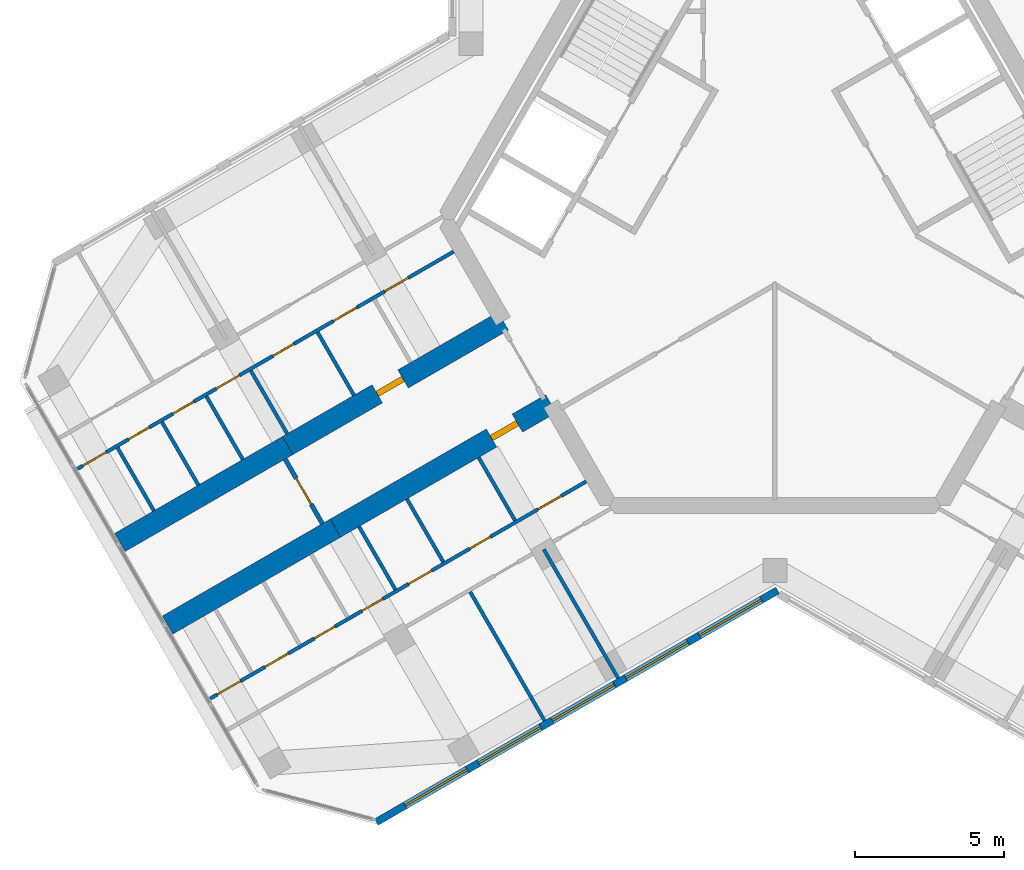
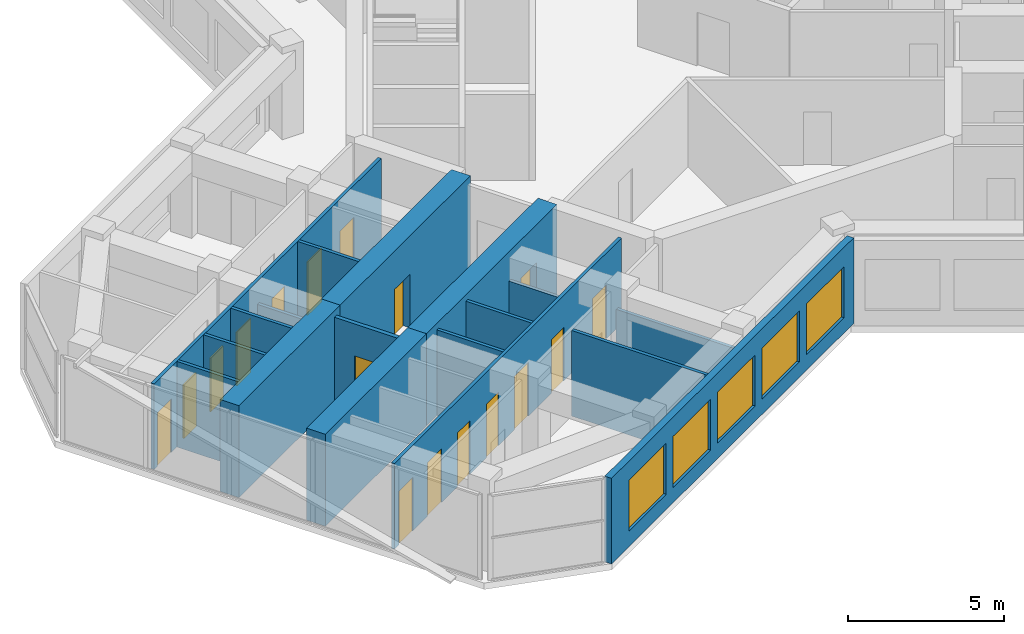
# One storey, part 7 of 14: 18 walls, 17 doors, 5 windows, 22 openings.
"""IFC4 building model written with IfcOpenShell, lengths in metres."""

from ifc_helpers import new_model, si_unit, direction, frame, frame_2d, origin, place, context, subcontext, project, spatial, rectangle, extrude, material, layer, layer_set, type_object, element, fill, save


model = new_model("IFC4")

# Units and contexts
model_context = context("Model", 3, precision=1e-05, world=origin(), true_north=direction((0.0, 1.0)))
body_context = subcontext(model_context, "Body", "Model", "MODEL_VIEW")
ifc_project = project(units=[si_unit("LENGTHUNIT", "METRE"), si_unit("AREAUNIT", "SQUARE_METRE"), si_unit("VOLUMEUNIT", "CUBIC_METRE"), si_unit("PLANEANGLEUNIT", "RADIAN"), si_unit("MASSUNIT", "GRAM", prefix="KILO")], contexts=[model_context])

# Site, building, storey
site_placement = place(None, origin())
site = spatial("IfcSite", under=ifc_project, at=site_placement, CompositionType="ELEMENT")
building_placement = place(site_placement, origin())
building = spatial("IfcBuilding", under=site, at=building_placement, Name="Kosmar Iwan School Tower", CompositionType="ELEMENT")
storey_placement = place(building_placement, frame((0.0, 0.0, 281.800048828125)))
storey = spatial("IfcBuildingStorey", under=building, at=storey_placement, Name="L71", CompositionType="ELEMENT", Elevation=281.800048828125)

# Wall, opening, door
ifc_material_1 = material(Name="Concrete C50/60", Category="concrete")
ifc_layer_1 = layer(ifc_material_1, 0.699951171875)
ifc_layer_set_1 = layer_set([ifc_layer_1], Name="Corridor buttress wall 700")
wall_type_1 = type_object("IfcWallType", Name="Corridor buttress wall 700", PredefinedType="SHEAR", material=ifc_layer_set_1)
wall_1_placement = place(storey_placement, frame((-7.513916015625, -6.185546875, 0.0), z_axis=(0.0, 0.0, 1.0), x_axis=(-0.866019549707, -0.500010139422, 0.0)))
wall_1 = element("IfcWall", 1, at=wall_1_placement, inside=storey, type_object=wall_type_1, Name="Corridor wall BL", PredefinedType="SHEAR", context=body_context, shape_type="SweptSolid", body=[
    extrude(rectangle(XDim=8.349853515625, YDim=0.699951171875, at=frame_2d((4.1748046875, 0.0))), origin(), (0.0, 0.0, 1.0), 3.599853515625),
])
opening_1_placement = place(wall_1_placement, frame((1.300048828125, 0.0, 0.0)))
opening_1 = element("IfcOpeningElement", 2, at=opening_1_placement, cuts=wall_1, Name="Opening D1", PredefinedType="OPENING", context=body_context, shape_type="SweptSolid", body=[
    extrude(rectangle(XDim=1.0, YDim=2.10009765625, at=frame_2d((0.5, 1.050048828125))), frame((0.0, 0.362060546875, 0.0), z_axis=(0.0, -1.0, 0.0), x_axis=(1.0, 0.0, 0.0)), (0.0, 0.0, 1.0), 0.723876953125),
])
ifc_material_2 = material(Name="Timber fire door in steel frame", Category="steel")
door_type_1 = type_object("IfcDoorType", Name="Flat entrance door 1000x2100", OperationType="SINGLE_SWING_LEFT", PredefinedType="DOOR", material=ifc_material_2)
door_1_placement = place(opening_1_placement, origin())
door_1 = element("IfcDoor", 3, at=door_1_placement, inside=storey, type_object=door_type_1, Name="Flat L71-BL1 entrance door", OperationType="SINGLE_SWING_RIGHT", OverallHeight=2.10009765625, OverallWidth=1.0, PredefinedType="DOOR", context=body_context, shape_type="SweptSolid", body=[
    extrude(rectangle(XDim=1.0, YDim=2.10009765625, at=frame_2d((0.5, 1.050048828125))), frame((0.0, 0.10009765625, 0.0), z_axis=(0.0, -1.0, 0.0), x_axis=(1.0, 0.0, 0.0)), (0.0, 0.0, 1.0), 0.199951171875),
])
fill(opening_1, door_1)

# Wall
wall_2_placement = place(storey_placement, frame((-14.7451171875, -10.360595703125, 0.0), z_axis=(0.0, 0.0, 1.0), x_axis=(-0.866027848477, -0.499995765644, 0.0)))
element("IfcWall", 4, at=wall_2_placement, inside=storey, type_object=wall_type_1, Name="Corridor wall BL bay 2", PredefinedType="SHEAR", context=body_context, shape_type="SweptSolid", body=[
    extrude(rectangle(XDim=6.4951171875, YDim=0.699951171875, at=frame_2d((3.24755859375, 0.0))), origin(), (0.0, 0.0, 1.0), 3.599853515625),
])

# Wall, opening, door
wall_3_placement = place(storey_placement, frame((-9.11376953125, -3.414306640625, 0.0), z_axis=(0.0, 0.0, 1.0), x_axis=(-0.866026859388, -0.499997478812, 0.0)))
wall_3 = element("IfcWall", 5, at=wall_3_placement, inside=storey, type_object=wall_type_1, Name="Corridor wall BR", PredefinedType="SHEAR", context=body_context, shape_type="SweptSolid", body=[
    extrude(rectangle(XDim=8.35009765625, YDim=0.699951171875, at=frame_2d((4.175048828125, 0.0))), origin(), (0.0, 0.0, 1.0), 3.599853515625),
])
opening_2_placement = place(wall_3_placement, frame((3.8798828125, 0.0, 0.0)))
opening_2 = element("IfcOpeningElement", 6, at=opening_2_placement, cuts=wall_3, Name="Opening D1", PredefinedType="OPENING", context=body_context, shape_type="SweptSolid", body=[
    extrude(rectangle(XDim=1.0, YDim=2.10009765625, at=frame_2d((0.5, 1.050048828125))), frame((0.0, 0.362060546875, 0.0), z_axis=(0.0, -1.0, 0.0), x_axis=(1.0, 0.0, 0.0)), (0.0, 0.0, 1.0), 0.723876953125),
])
door_2_placement = place(opening_2_placement, origin())
door_2 = element("IfcDoor", 7, at=door_2_placement, inside=storey, type_object=door_type_1, Name="Flat L71-BR1 entrance door", OperationType="SINGLE_SWING_RIGHT", OverallHeight=2.10009765625, OverallWidth=1.0, PredefinedType="DOOR", context=body_context, shape_type="SweptSolid", body=[
    extrude(rectangle(XDim=1.0, YDim=2.10009765625, at=frame_2d((0.5, 1.050048828125))), frame((0.0, 0.10009765625, 0.0), z_axis=(0.0, -1.0, 0.0), x_axis=(1.0, 0.0, 0.0)), (0.0, 0.0, 1.0), 0.199951171875),
])
fill(opening_2, door_2)

# Wall
wall_4_placement = place(storey_placement, frame((-16.34521484375, -7.58935546875, 0.0), z_axis=(0.0, 0.0, 1.0), x_axis=(-0.866018451174, -0.500012042081, 0.0)))
element("IfcWall", 8, at=wall_4_placement, inside=storey, type_object=wall_type_1, Name="Corridor wall BR bay 2", PredefinedType="SHEAR", context=body_context, shape_type="SweptSolid", body=[
    extrude(rectangle(XDim=6.494873046875, YDim=0.699951171875, at=frame_2d((3.24755859375, 0.0))), origin(), (0.0, 0.0, 1.0), 3.599853515625),
])

# Wall, opening, door
ifc_material_3 = material(Name="Gypsum board on steel studs, fire-rated", Category="steel")
ifc_layer_2 = layer(ifc_material_3, 0.14990234375)
ifc_layer_set_2 = layer_set([ifc_layer_2], Name="Corridor end wall 150")
wall_type_2 = type_object("IfcWallType", Name="Corridor end wall 150", PredefinedType="PARTITIONING", material=ifc_layer_set_2)
wall_5_placement = place(storey_placement, frame((-16.429931640625, -8.04248046875, 0.0), z_axis=(0.0, 0.0, 1.0), x_axis=(0.500004234368, -0.866022959057, 0.0)))
wall_5 = element("IfcWall", 9, at=wall_5_placement, inside=storey, type_object=wall_type_2, Name="Partition L71-B-CE", PredefinedType="PARTITIONING", context=body_context, shape_type="SweptSolid", body=[
    extrude(rectangle(XDim=2.5, YDim=0.14990234375, at=frame_2d((1.25, 0.0))), origin(), (0.0, 0.0, 1.0), 3.349853515625),
])
opening_3_placement = place(wall_5_placement, frame((0.75, 0.0, 0.0)))
opening_3 = element("IfcOpeningElement", 10, at=opening_3_placement, cuts=wall_5, Name="Opening D13", PredefinedType="OPENING", context=body_context, shape_type="SweptSolid", body=[
    extrude(rectangle(XDim=1.0, YDim=2.10009765625, at=frame_2d((0.5, 1.050048828125))), frame((0.0, 0.0869140625, 0.0), z_axis=(0.0, -1.0, 0.0), x_axis=(1.0, 0.0, 0.0)), (0.0, 0.0, 1.0), 0.173828125),
])
ifc_material_4 = material(Name="Timber fire door with vision panel", Category="wood")
door_type_2 = type_object("IfcDoorType", Name="Corridor end door 1000x2100", OperationType="SINGLE_SWING_LEFT", PredefinedType="DOOR", material=ifc_material_4)
door_3_placement = place(opening_3_placement, origin())
door_3 = element("IfcDoor", 11, at=door_3_placement, inside=storey, type_object=door_type_2, Name="Prayer room door L71-B", OperationType="SINGLE_SWING_LEFT", OverallHeight=2.10009765625, OverallWidth=1.0, PredefinedType="DOOR", context=body_context, shape_type="SweptSolid", body=[
    extrude(rectangle(XDim=1.0, YDim=2.10009765625, at=frame_2d((0.5, 1.050048828125))), frame((0.0, 0.02490234375, 0.0), z_axis=(0.0, -1.0, 0.0), x_axis=(1.0, 0.0, 0.0)), (0.0, 0.0, 1.0), 0.050048828125),
])
fill(opening_3, door_3)

# Wall, openings, doors
ifc_material_5 = material(Name="Gypsum board on steel studs", Category="steel")
ifc_layer_3 = layer(ifc_material_5, 0.1201171875)
ifc_layer_set_3 = layer_set([ifc_layer_3], Name="Dwelling partition 120")
wall_type_3 = type_object("IfcWallType", Name="Dwelling partition 120", PredefinedType="PARTITIONING", material=ifc_layer_set_3)
wall_6_placement = place(storey_placement, frame((-6.326904296875, -8.791259765625, 0.0), z_axis=(0.0, 0.0, 1.0), x_axis=(-0.866023744513, -0.500002873931, 0.0)))
wall_6 = element("IfcWall", 12, at=wall_6_placement, inside=storey, type_object=wall_type_3, Name="Partition L71-BL1-W1", PredefinedType="PARTITIONING", context=body_context, shape_type="SweptSolid", body=[
    extrude(rectangle(XDim=14.5703125, YDim=0.1201171875, at=frame_2d((7.28515625, 0.0))), origin(), (0.0, 0.0, 1.0), 3.349853515625),
])
opening_4_placement = place(wall_6_placement, frame((0.97509765625, 0.0, 0.0)))
opening_4 = element("IfcOpeningElement", 13, at=opening_4_placement, cuts=wall_6, Name="Opening D2", PredefinedType="OPENING", context=body_context, shape_type="SweptSolid", body=[
    extrude(rectangle(XDim=0.89990234375, YDim=2.10009765625, at=frame_2d((0.449951171875, 1.050048828125))), frame((0.0, 0.072021484375, 0.0), z_axis=(0.0, -1.0, 0.0), x_axis=(1.0, 0.0, 0.0)), (0.0, 0.0, 1.0), 0.14404296875),
])
opening_5_placement = place(wall_6_placement, frame((3.71533203125, 0.0, 0.0)))
opening_5 = element("IfcOpeningElement", 14, at=opening_5_placement, cuts=wall_6, Name="Opening D3", PredefinedType="OPENING", context=body_context, shape_type="SweptSolid", body=[
    extrude(rectangle(XDim=0.800048828125, YDim=2.10009765625, at=frame_2d((0.39990234375, 1.050048828125))), frame((0.0, 0.072021484375, 0.0), z_axis=(0.0, -1.0, 0.0), x_axis=(1.0, 0.0, 0.0)), (0.0, 0.0, 1.0), 0.14404296875),
])
opening_6_placement = place(wall_6_placement, frame((5.982666015625, 0.0, 0.0)))
opening_6 = element("IfcOpeningElement", 15, at=opening_6_placement, cuts=wall_6, Name="Opening D2", PredefinedType="OPENING", context=body_context, shape_type="SweptSolid", body=[
    extrude(rectangle(XDim=0.89990234375, YDim=2.10009765625, at=frame_2d((0.449951171875, 1.050048828125))), frame((0.0, 0.072021484375, 0.0), z_axis=(0.0, -1.0, 0.0), x_axis=(1.0, 0.0, 0.0)), (0.0, 0.0, 1.0), 0.14404296875),
])
opening_7_placement = place(wall_6_placement, frame((7.886474609375, 0.0, 0.0)))
opening_7 = element("IfcOpeningElement", 16, at=opening_7_placement, cuts=wall_6, Name="Opening D3", PredefinedType="OPENING", context=body_context, shape_type="SweptSolid", body=[
    extrude(rectangle(XDim=0.800048828125, YDim=2.10009765625, at=frame_2d((0.39990234375, 1.050048828125))), frame((0.0, 0.072021484375, 0.0), z_axis=(0.0, -1.0, 0.0), x_axis=(1.0, 0.0, 0.0)), (0.0, 0.0, 1.0), 0.14404296875),
])
opening_8_placement = place(wall_6_placement, frame((9.740478515625, 0.0, 0.0)))
opening_8 = element("IfcOpeningElement", 17, at=opening_8_placement, cuts=wall_6, Name="Opening D3", PredefinedType="OPENING", context=body_context, shape_type="SweptSolid", body=[
    extrude(rectangle(XDim=0.800048828125, YDim=2.10009765625, at=frame_2d((0.39990234375, 1.050048828125))), frame((0.0, 0.072021484375, 0.0), z_axis=(0.0, -1.0, 0.0), x_axis=(1.0, 0.0, 0.0)), (0.0, 0.0, 1.0), 0.14404296875),
])
opening_9_placement = place(wall_6_placement, frame((11.544189453125, 0.0, 0.0)))
opening_9 = element("IfcOpeningElement", 18, at=opening_9_placement, cuts=wall_6, Name="Opening D2", PredefinedType="OPENING", context=body_context, shape_type="SweptSolid", body=[
    extrude(rectangle(XDim=0.89990234375, YDim=2.10009765625, at=frame_2d((0.449951171875, 1.050048828125))), frame((0.0, 0.072021484375, 0.0), z_axis=(0.0, -1.0, 0.0), x_axis=(1.0, 0.0, 0.0)), (0.0, 0.0, 1.0), 0.14404296875),
])
opening_10_placement = place(wall_6_placement, frame((13.398193359375, 0.0, 0.0)))
opening_10 = element("IfcOpeningElement", 19, at=opening_10_placement, cuts=wall_6, Name="Opening D2", PredefinedType="OPENING", context=body_context, shape_type="SweptSolid", body=[
    extrude(rectangle(XDim=0.89990234375, YDim=2.10009765625, at=frame_2d((0.449951171875, 1.050048828125))), frame((0.0, 0.072021484375, 0.0), z_axis=(0.0, -1.0, 0.0), x_axis=(1.0, 0.0, 0.0)), (0.0, 0.0, 1.0), 0.14404296875),
])
ifc_material_6 = material(Name="Timber door in timber frame", Category="wood")
door_type_3 = type_object("IfcDoorType", Name="Internal door 900x2100", OperationType="SINGLE_SWING_LEFT", PredefinedType="DOOR", material=ifc_material_6)
door_4_placement = place(opening_4_placement, origin())
door_4 = element("IfcDoor", 20, at=door_4_placement, inside=storey, type_object=door_type_3, Name="Entrance hall door L71-BL1-S1", OperationType="SINGLE_SWING_LEFT", OverallHeight=2.10009765625, OverallWidth=0.89990234375, PredefinedType="DOOR", context=body_context, shape_type="SweptSolid", body=[
    extrude(rectangle(XDim=0.89990234375, YDim=2.10009765625, at=frame_2d((0.449951171875, 1.050048828125))), frame((0.0, 0.02490234375, 0.0), z_axis=(0.0, -1.0, 0.0), x_axis=(1.0, 0.0, 0.0)), (0.0, 0.0, 1.0), 0.050048828125),
])
fill(opening_4, door_4)
door_5_placement = place(opening_6_placement, origin())
door_5 = element("IfcDoor", 21, at=door_5_placement, inside=storey, type_object=door_type_3, Name="Pantry door L71-BL1-S3", OperationType="SINGLE_SWING_LEFT", OverallHeight=2.10009765625, OverallWidth=0.89990234375, PredefinedType="DOOR", context=body_context, shape_type="SweptSolid", body=[
    extrude(rectangle(XDim=0.89990234375, YDim=2.10009765625, at=frame_2d((0.449951171875, 1.050048828125))), frame((0.0, 0.02490234375, 0.0), z_axis=(0.0, -1.0, 0.0), x_axis=(1.0, 0.0, 0.0)), (0.0, 0.0, 1.0), 0.050048828125),
])
fill(opening_6, door_5)
door_6_placement = place(opening_9_placement, origin())
door_6 = element("IfcDoor", 22, at=door_6_placement, inside=storey, type_object=door_type_3, Name="Utility room door L71-BL1-S6", OperationType="SINGLE_SWING_RIGHT", OverallHeight=2.10009765625, OverallWidth=0.89990234375, PredefinedType="DOOR", context=body_context, shape_type="SweptSolid", body=[
    extrude(rectangle(XDim=0.89990234375, YDim=2.10009765625, at=frame_2d((0.449951171875, 1.050048828125))), frame((0.0, 0.02490234375, 0.0), z_axis=(0.0, -1.0, 0.0), x_axis=(1.0, 0.0, 0.0)), (0.0, 0.0, 1.0), 0.050048828125),
])
fill(opening_9, door_6)
door_7_placement = place(opening_10_placement, origin())
door_7 = element("IfcDoor", 23, at=door_7_placement, inside=storey, type_object=door_type_3, Name="Dressing room door L71-BL1-S7", OperationType="SINGLE_SWING_RIGHT", OverallHeight=2.10009765625, OverallWidth=0.89990234375, PredefinedType="DOOR", context=body_context, shape_type="SweptSolid", body=[
    extrude(rectangle(XDim=0.89990234375, YDim=2.10009765625, at=frame_2d((0.449951171875, 1.050048828125))), frame((0.0, 0.02490234375, 0.0), z_axis=(0.0, -1.0, 0.0), x_axis=(1.0, 0.0, 0.0)), (0.0, 0.0, 1.0), 0.050048828125),
])
fill(opening_10, door_7)
ifc_material_7 = material(Name="Timber door in timber frame", Category="wood")
door_type_4 = type_object("IfcDoorType", Name="Sanitary room door 800x2100", OperationType="SINGLE_SWING_LEFT", PredefinedType="DOOR", material=ifc_material_7)
door_8_placement = place(opening_5_placement, origin())
door_8 = element("IfcDoor", 24, at=door_8_placement, inside=storey, type_object=door_type_4, Name="Bathroom door L71-BL1-S2", OperationType="SINGLE_SWING_LEFT", OverallHeight=2.10009765625, OverallWidth=0.800048828125, PredefinedType="DOOR", context=body_context, shape_type="SweptSolid", body=[
    extrude(rectangle(XDim=0.800048828125, YDim=2.10009765625, at=frame_2d((0.39990234375, 1.050048828125))), frame((0.0, 0.02490234375, 0.0), z_axis=(0.0, -1.0, 0.0), x_axis=(1.0, 0.0, 0.0)), (0.0, 0.0, 1.0), 0.050048828125),
])
fill(opening_5, door_8)
door_9_placement = place(opening_7_placement, origin())
door_9 = element("IfcDoor", 25, at=door_9_placement, inside=storey, type_object=door_type_4, Name="WC door L71-BL1-S4", OperationType="SINGLE_SWING_RIGHT", OverallHeight=2.10009765625, OverallWidth=0.800048828125, PredefinedType="DOOR", context=body_context, shape_type="SweptSolid", body=[
    extrude(rectangle(XDim=0.800048828125, YDim=2.10009765625, at=frame_2d((0.39990234375, 1.050048828125))), frame((0.0, 0.02490234375, 0.0), z_axis=(0.0, -1.0, 0.0), x_axis=(1.0, 0.0, 0.0)), (0.0, 0.0, 1.0), 0.050048828125),
])
fill(opening_7, door_9)
door_10_placement = place(opening_8_placement, origin())
door_10 = element("IfcDoor", 26, at=door_10_placement, inside=storey, type_object=door_type_4, Name="Store door L71-BL1-S5", OperationType="SINGLE_SWING_RIGHT", OverallHeight=2.10009765625, OverallWidth=0.800048828125, PredefinedType="DOOR", context=body_context, shape_type="SweptSolid", body=[
    extrude(rectangle(XDim=0.800048828125, YDim=2.10009765625, at=frame_2d((0.39990234375, 1.050048828125))), frame((0.0, 0.02490234375, 0.0), z_axis=(0.0, -1.0, 0.0), x_axis=(1.0, 0.0, 0.0)), (0.0, 0.0, 1.0), 0.050048828125),
])
fill(opening_8, door_10)

# Walls
wall_7_placement = place(storey_placement, frame((-7.75390625, -11.070068359375, 0.0), z_axis=(0.0, 0.0, 1.0), x_axis=(0.500011847778, -0.866018563358, 0.0)))
element("IfcWall", 27, at=wall_7_placement, inside=storey, type_object=wall_type_3, Name="Partition L71-BL1-X1", PredefinedType="PARTITIONING", context=body_context, shape_type="SweptSolid", body=[
    extrude(rectangle(XDim=4.990234375, YDim=0.1201171875, at=frame_2d((2.4951171875, 0.0))), origin(), (0.0, 0.0, 1.0), 2.449951171875),
])
wall_8_placement = place(storey_placement, frame((-10.221923828125, -12.4951171875, 0.0), z_axis=(0.0, 0.0, 1.0), x_axis=(0.499996339024, -0.86602751744, 0.0)))
element("IfcWall", 28, at=wall_8_placement, inside=storey, type_object=wall_type_3, Name="Partition L71-BL1-X2", PredefinedType="PARTITIONING", context=body_context, shape_type="SweptSolid", body=[
    extrude(rectangle(XDim=4.98974609375, YDim=0.1201171875, at=frame_2d((2.494873046875, 0.0))), origin(), (0.0, 0.0, 1.0), 3.349853515625),
])
wall_9_placement = place(storey_placement, frame((-9.93701171875, -7.98876953125, 0.0), z_axis=(0.0, 0.0, 1.0), x_axis=(0.500077547548, -0.865980627057, 0.0)))
element("IfcWall", 29, at=wall_9_placement, inside=storey, type_object=wall_type_3, Name="Partition L71-BL1-Y1", PredefinedType="PARTITIONING", context=body_context, shape_type="SweptSolid", body=[
    extrude(rectangle(XDim=2.43994140625, YDim=0.1201171875, at=frame_2d((1.219970703125, 0.0))), origin(), (0.0, 0.0, 1.0), 2.449951171875),
])
for number, where, z_axis, x_axis, name in (
    (30, (-12.34521484375, -9.379150390625, 0.0), (0.0, 0.0, 1.0), (0.500002508028, -0.866023955769, 0.0), "Partition L71-BL1-Y2"),
    (31, (-13.95068359375, -10.30615234375, 0.0), (0.0, 0.0, 1.0), (0.500002508028, -0.866023955769, 0.0), "Partition L71-BL1-Y3"),
):
    element("IfcWall", number, at=place(storey_placement, frame(where, z_axis=z_axis, x_axis=x_axis)), inside=storey, type_object=wall_type_3, Name=name, PredefinedType="PARTITIONING", context=body_context, shape_type="SweptSolid", body=[
        extrude(rectangle(XDim=2.43994140625, YDim=0.1201171875, at=frame_2d((1.219970703125, 0.0))), origin(), (0.0, 0.0, 1.0), 3.349853515625),
    ])

# Wall, openings, doors
wall_10_placement = place(storey_placement, frame((-10.777099609375, -1.083740234375, 0.0), z_axis=(0.0, 0.0, 1.0), x_axis=(-0.866026811131, -0.499997562396, 0.0)))
wall_10 = element("IfcWall", 32, at=wall_10_placement, inside=storey, type_object=wall_type_3, Name="Partition L71-BR1-W1", PredefinedType="PARTITIONING", context=body_context, shape_type="SweptSolid", body=[
    extrude(rectangle(XDim=14.56982421875, YDim=0.1201171875, at=frame_2d((7.284912109375, 0.0))), origin(), (0.0, 0.0, 1.0), 3.349853515625),
])
opening_11_placement = place(wall_10_placement, frame((1.764892578125, 0.0, 0.0)))
opening_11 = element("IfcOpeningElement", 33, at=opening_11_placement, cuts=wall_10, Name="Opening D2", PredefinedType="OPENING", context=body_context, shape_type="SweptSolid", body=[
    extrude(rectangle(XDim=0.89990234375, YDim=2.10009765625, at=frame_2d((0.449951171875, 1.050048828125))), frame((0.0, 0.072021484375, 0.0), z_axis=(0.0, -1.0, 0.0), x_axis=(1.0, 0.0, 0.0)), (0.0, 0.0, 1.0), 0.14404296875),
])
opening_12_placement = place(wall_10_placement, frame((3.755126953125, 0.0, 0.0)))
opening_12 = element("IfcOpeningElement", 34, at=opening_12_placement, cuts=wall_10, Name="Opening D2", PredefinedType="OPENING", context=body_context, shape_type="SweptSolid", body=[
    extrude(rectangle(XDim=0.89990234375, YDim=2.10009765625, at=frame_2d((0.449951171875, 1.050048828125))), frame((0.0, 0.072021484375, 0.0), z_axis=(0.0, -1.0, 0.0), x_axis=(1.0, 0.0, 0.0)), (0.0, 0.0, 1.0), 0.14404296875),
])
opening_13_placement = place(wall_10_placement, frame((6.1962890625, 0.0, 0.0)))
opening_13 = element("IfcOpeningElement", 35, at=opening_13_placement, cuts=wall_10, Name="Opening D3", PredefinedType="OPENING", context=body_context, shape_type="SweptSolid", body=[
    extrude(rectangle(XDim=0.800048828125, YDim=2.10009765625, at=frame_2d((0.39990234375, 1.050048828125))), frame((0.0, 0.072021484375, 0.0), z_axis=(0.0, -1.0, 0.0), x_axis=(1.0, 0.0, 0.0)), (0.0, 0.0, 1.0), 0.14404296875),
])
opening_14_placement = place(wall_10_placement, frame((8.298583984375, 0.0, 0.0)))
opening_14 = element("IfcOpeningElement", 36, at=opening_14_placement, cuts=wall_10, Name="Opening D2", PredefinedType="OPENING", context=body_context, shape_type="SweptSolid", body=[
    extrude(rectangle(XDim=0.89990234375, YDim=2.10009765625, at=frame_2d((0.449951171875, 1.050048828125))), frame((0.0, 0.072021484375, 0.0), z_axis=(0.0, -1.0, 0.0), x_axis=(1.0, 0.0, 0.0)), (0.0, 0.0, 1.0), 0.14404296875),
])
opening_15_placement = place(wall_10_placement, frame((10.070556640625, 0.0, 0.0)))
opening_15 = element("IfcOpeningElement", 37, at=opening_15_placement, cuts=wall_10, Name="Opening D3", PredefinedType="OPENING", context=body_context, shape_type="SweptSolid", body=[
    extrude(rectangle(XDim=0.800048828125, YDim=2.10009765625, at=frame_2d((0.39990234375, 1.050048828125))), frame((0.0, 0.072021484375, 0.0), z_axis=(0.0, -1.0, 0.0), x_axis=(1.0, 0.0, 0.0)), (0.0, 0.0, 1.0), 0.14404296875),
])
opening_16_placement = place(wall_10_placement, frame((11.792236328125, 0.0, 0.0)))
opening_16 = element("IfcOpeningElement", 38, at=opening_16_placement, cuts=wall_10, Name="Opening D3", PredefinedType="OPENING", context=body_context, shape_type="SweptSolid", body=[
    extrude(rectangle(XDim=0.800048828125, YDim=2.10009765625, at=frame_2d((0.39990234375, 1.050048828125))), frame((0.0, 0.072021484375, 0.0), z_axis=(0.0, -1.0, 0.0), x_axis=(1.0, 0.0, 0.0)), (0.0, 0.0, 1.0), 0.14404296875),
])
opening_17_placement = place(wall_10_placement, frame((13.464111328125, 0.0, 0.0)))
opening_17 = element("IfcOpeningElement", 39, at=opening_17_placement, cuts=wall_10, Name="Opening D2", PredefinedType="OPENING", context=body_context, shape_type="SweptSolid", body=[
    extrude(rectangle(XDim=0.89990234375, YDim=2.10009765625, at=frame_2d((0.449951171875, 1.050048828125))), frame((0.0, 0.072021484375, 0.0), z_axis=(0.0, -1.0, 0.0), x_axis=(1.0, 0.0, 0.0)), (0.0, 0.0, 1.0), 0.14404296875),
])
door_11_placement = place(opening_11_placement, origin())
door_11 = element("IfcDoor", 40, at=door_11_placement, inside=storey, type_object=door_type_3, Name="Utility room door L71-BR1-S1", OperationType="SINGLE_SWING_RIGHT", OverallHeight=2.10009765625, OverallWidth=0.89990234375, PredefinedType="DOOR", context=body_context, shape_type="SweptSolid", body=[
    extrude(rectangle(XDim=0.89990234375, YDim=2.10009765625, at=frame_2d((0.449951171875, 1.050048828125))), frame((0.0, 0.02490234375, 0.0), z_axis=(0.0, -1.0, 0.0), x_axis=(1.0, 0.0, 0.0)), (0.0, 0.0, 1.0), 0.050048828125),
])
fill(opening_11, door_11)
door_12_placement = place(opening_12_placement, origin())
door_12 = element("IfcDoor", 41, at=door_12_placement, inside=storey, type_object=door_type_3, Name="Entrance hall door L71-BR1-S2", OperationType="SINGLE_SWING_RIGHT", OverallHeight=2.10009765625, OverallWidth=0.89990234375, PredefinedType="DOOR", context=body_context, shape_type="SweptSolid", body=[
    extrude(rectangle(XDim=0.89990234375, YDim=2.10009765625, at=frame_2d((0.449951171875, 1.050048828125))), frame((0.0, 0.02490234375, 0.0), z_axis=(0.0, -1.0, 0.0), x_axis=(1.0, 0.0, 0.0)), (0.0, 0.0, 1.0), 0.050048828125),
])
fill(opening_12, door_12)
door_13_placement = place(opening_14_placement, origin())
door_13 = element("IfcDoor", 42, at=door_13_placement, inside=storey, type_object=door_type_3, Name="Pantry door L71-BR1-S4", OperationType="SINGLE_SWING_RIGHT", OverallHeight=2.10009765625, OverallWidth=0.89990234375, PredefinedType="DOOR", context=body_context, shape_type="SweptSolid", body=[
    extrude(rectangle(XDim=0.89990234375, YDim=2.10009765625, at=frame_2d((0.449951171875, 1.050048828125))), frame((0.0, 0.02490234375, 0.0), z_axis=(0.0, -1.0, 0.0), x_axis=(1.0, 0.0, 0.0)), (0.0, 0.0, 1.0), 0.050048828125),
])
fill(opening_14, door_13)
door_14_placement = place(opening_17_placement, origin())
door_14 = element("IfcDoor", 43, at=door_14_placement, inside=storey, type_object=door_type_3, Name="Dressing room door L71-BR1-S7", OperationType="SINGLE_SWING_RIGHT", OverallHeight=2.10009765625, OverallWidth=0.89990234375, PredefinedType="DOOR", context=body_context, shape_type="SweptSolid", body=[
    extrude(rectangle(XDim=0.89990234375, YDim=2.10009765625, at=frame_2d((0.449951171875, 1.050048828125))), frame((0.0, 0.02490234375, 0.0), z_axis=(0.0, -1.0, 0.0), x_axis=(1.0, 0.0, 0.0)), (0.0, 0.0, 1.0), 0.050048828125),
])
fill(opening_17, door_14)
door_15_placement = place(opening_13_placement, origin())
door_15 = element("IfcDoor", 44, at=door_15_placement, inside=storey, type_object=door_type_4, Name="Bathroom door L71-BR1-S3", OperationType="SINGLE_SWING_LEFT", OverallHeight=2.10009765625, OverallWidth=0.800048828125, PredefinedType="DOOR", context=body_context, shape_type="SweptSolid", body=[
    extrude(rectangle(XDim=0.800048828125, YDim=2.10009765625, at=frame_2d((0.39990234375, 1.050048828125))), frame((0.0, 0.02490234375, 0.0), z_axis=(0.0, -1.0, 0.0), x_axis=(1.0, 0.0, 0.0)), (0.0, 0.0, 1.0), 0.050048828125),
])
fill(opening_13, door_15)
door_16_placement = place(opening_15_placement, origin())
door_16 = element("IfcDoor", 45, at=door_16_placement, inside=storey, type_object=door_type_4, Name="WC door L71-BR1-S5", OperationType="SINGLE_SWING_LEFT", OverallHeight=2.10009765625, OverallWidth=0.800048828125, PredefinedType="DOOR", context=body_context, shape_type="SweptSolid", body=[
    extrude(rectangle(XDim=0.800048828125, YDim=2.10009765625, at=frame_2d((0.39990234375, 1.050048828125))), frame((0.0, 0.02490234375, 0.0), z_axis=(0.0, -1.0, 0.0), x_axis=(1.0, 0.0, 0.0)), (0.0, 0.0, 1.0), 0.050048828125),
])
fill(opening_15, door_16)
door_17_placement = place(opening_16_placement, origin())
door_17 = element("IfcDoor", 46, at=door_17_placement, inside=storey, type_object=door_type_4, Name="Store door L71-BR1-S6", OperationType="SINGLE_SWING_RIGHT", OverallHeight=2.10009765625, OverallWidth=0.800048828125, PredefinedType="DOOR", context=body_context, shape_type="SweptSolid", body=[
    extrude(rectangle(XDim=0.800048828125, YDim=2.10009765625, at=frame_2d((0.39990234375, 1.050048828125))), frame((0.0, 0.02490234375, 0.0), z_axis=(0.0, -1.0, 0.0), x_axis=(1.0, 0.0, 0.0)), (0.0, 0.0, 1.0), 0.050048828125),
])
fill(opening_16, door_17)

# Walls
wall_11_placement = place(storey_placement, frame((-14.121337890625, -5.9013671875, 0.0), z_axis=(0.0, 0.0, 1.0), x_axis=(-0.499959183527, 0.866048967903, 0.0)))
element("IfcWall", 47, at=wall_11_placement, inside=storey, type_object=wall_type_3, Name="Partition L71-BR1-Y2", PredefinedType="PARTITIONING", context=body_context, shape_type="SweptSolid", body=[
    extrude(rectangle(XDim=2.440185546875, YDim=0.1201171875, at=frame_2d((1.22021484375, 0.0))), origin(), (0.0, 0.0, 1.0), 3.349853515625),
])
wall_12_placement = place(storey_placement, frame((-16.35791015625, -7.192626953125, 0.0), z_axis=(0.0, 0.0, 1.0), x_axis=(-0.500002508028, 0.866023955769, 0.0)))
element("IfcWall", 48, at=wall_12_placement, inside=storey, type_object=wall_type_3, Name="Partition L71-BR1-Y3", PredefinedType="PARTITIONING", context=body_context, shape_type="SweptSolid", body=[
    extrude(rectangle(XDim=2.43994140625, YDim=0.1201171875, at=frame_2d((1.219970703125, 0.0))), origin(), (0.0, 0.0, 1.0), 2.449951171875),
])
wall_13_placement = place(storey_placement, frame((-17.84912109375, -8.053466796875, 0.0), z_axis=(0.0, 0.0, 1.0), x_axis=(-0.500002508028, 0.866023955769, 0.0)))
element("IfcWall", 49, at=wall_13_placement, inside=storey, type_object=wall_type_3, Name="Partition L71-BR1-Y4", PredefinedType="PARTITIONING", context=body_context, shape_type="SweptSolid", body=[
    extrude(rectangle(XDim=2.43994140625, YDim=0.1201171875, at=frame_2d((1.219970703125, 0.0))), origin(), (0.0, 0.0, 1.0), 3.349853515625),
])
for number, where, z_axis, x_axis, name in (
    (50, (-19.34033203125, -8.91455078125, 0.0), (0.0, 0.0, 1.0), (-0.499959183527, 0.866048967903, 0.0), "Partition L71-BR1-Y5"),
    (51, (-20.831298828125, -9.775390625, 0.0), (0.0, 0.0, 1.0), (-0.500034220881, 0.866005645448, 0.0), "Partition L71-BR1-Y6"),
):
    element("IfcWall", number, at=place(storey_placement, frame(where, z_axis=z_axis, x_axis=x_axis)), inside=storey, type_object=wall_type_3, Name=name, PredefinedType="PARTITIONING", context=body_context, shape_type="SweptSolid", body=[
        extrude(rectangle(XDim=2.440185546875, YDim=0.1201171875, at=frame_2d((1.22021484375, 0.0))), origin(), (0.0, 0.0, 1.0), 3.349853515625),
    ])

# Wall, openings, windows
ifc_material_8 = material(Name="Black aluminium rainscreen on insulated framing", Category="aluminium")
ifc_layer_4 = layer(ifc_material_8, 0.25)
ifc_layer_set_4 = layer_set([ifc_layer_4], Name="External wall rainscreen 250")
wall_type_4 = type_object("IfcWallType", Name="External wall rainscreen 250", PredefinedType="SOLIDWALL", material=ifc_layer_set_4)
wall_14_placement = place(storey_placement, frame((0.088134765625, -12.44873046875, 0.0), z_axis=(0.0, 0.0, 1.0), x_axis=(-0.866029894971, -0.499992220956, 0.0)))
wall_14 = element("IfcWall", 52, at=wall_14_placement, inside=storey, type_object=wall_type_4, Name="External wall BL L71", PredefinedType="SOLIDWALL", context=body_context, shape_type="SweptSolid", body=[
    extrude(rectangle(XDim=15.537353515625, YDim=0.25, at=frame_2d((7.7685546875, 0.0))), origin(), (0.0, 0.0, 1.0), 3.349853515625),
])
opening_18_placement = place(wall_14_placement, frame((0.626953125, 0.0, 0.60009765625)))
opening_18 = element("IfcOpeningElement", 53, at=opening_18_placement, cuts=wall_14, Name="Opening W6", PredefinedType="OPENING", context=body_context, shape_type="SweptSolid", body=[
    extrude(rectangle(XDim=2.39990234375, YDim=2.0, at=frame_2d((1.199951171875, 1.0))), frame((0.0, 0.136962890625, 0.0), z_axis=(0.0, -1.0, 0.0), x_axis=(1.0, 0.0, 0.0)), (0.0, 0.0, 1.0), 0.27392578125),
])
opening_19_placement = place(wall_14_placement, frame((3.47705078125, 0.0, 0.60009765625)))
opening_19 = element("IfcOpeningElement", 54, at=opening_19_placement, cuts=wall_14, Name="Opening W6", PredefinedType="OPENING", context=body_context, shape_type="SweptSolid", body=[
    extrude(rectangle(XDim=2.39990234375, YDim=2.0, at=frame_2d((1.199951171875, 1.0))), frame((0.0, 0.136962890625, 0.0), z_axis=(0.0, -1.0, 0.0), x_axis=(1.0, 0.0, 0.0)), (0.0, 0.0, 1.0), 0.27392578125),
])
opening_20_placement = place(wall_14_placement, frame((6.326904296875, 0.0, 0.60009765625)))
opening_20 = element("IfcOpeningElement", 55, at=opening_20_placement, cuts=wall_14, Name="Opening W6", PredefinedType="OPENING", context=body_context, shape_type="SweptSolid", body=[
    extrude(rectangle(XDim=2.39990234375, YDim=2.0, at=frame_2d((1.199951171875, 1.0))), frame((0.0, 0.136962890625, 0.0), z_axis=(0.0, -1.0, 0.0), x_axis=(1.0, 0.0, 0.0)), (0.0, 0.0, 1.0), 0.27392578125),
])
opening_21_placement = place(wall_14_placement, frame((9.177001953125, 0.0, 0.60009765625)))
opening_21 = element("IfcOpeningElement", 56, at=opening_21_placement, cuts=wall_14, Name="Opening W6", PredefinedType="OPENING", context=body_context, shape_type="SweptSolid", body=[
    extrude(rectangle(XDim=2.39990234375, YDim=2.0, at=frame_2d((1.199951171875, 1.0))), frame((0.0, 0.136962890625, 0.0), z_axis=(0.0, -1.0, 0.0), x_axis=(1.0, 0.0, 0.0)), (0.0, 0.0, 1.0), 0.27392578125),
])
opening_22_placement = place(wall_14_placement, frame((12.027099609375, 0.0, 0.60009765625)))
opening_22 = element("IfcOpeningElement", 57, at=opening_22_placement, cuts=wall_14, Name="Opening W6", PredefinedType="OPENING", context=body_context, shape_type="SweptSolid", body=[
    extrude(rectangle(XDim=2.39990234375, YDim=2.0, at=frame_2d((1.199951171875, 1.0))), frame((0.0, 0.136962890625, 0.0), z_axis=(0.0, -1.0, 0.0), x_axis=(1.0, 0.0, 0.0)), (0.0, 0.0, 1.0), 0.27392578125),
])
ifc_material_9 = material(Name="Black aluminium frame with dark triple glazing", Category="aluminium")
window_type = type_object("IfcWindowType", Name="Window 2400x2000", PartitioningType="SINGLE_PANEL", PredefinedType="WINDOW", material=ifc_material_9)
window_1_placement = place(opening_18_placement, origin())
window_1 = element("IfcWindow", 58, at=window_1_placement, inside=storey, type_object=window_type, Name="Window BL L71 -1", OverallHeight=2.0, OverallWidth=2.39990234375, PartitioningType="SINGLE_PANEL", PredefinedType="WINDOW", context=body_context, shape_type="SweptSolid", body=[
    extrude(rectangle(XDim=2.39990234375, YDim=2.0, at=frame_2d((1.199951171875, 1.0))), frame((0.0, 0.030029296875, 0.0), z_axis=(0.0, -1.0, 0.0), x_axis=(1.0, 0.0, 0.0)), (0.0, 0.0, 1.0), 0.06005859375),
])
fill(opening_18, window_1)
window_2_placement = place(opening_19_placement, origin())
window_2 = element("IfcWindow", 59, at=window_2_placement, inside=storey, type_object=window_type, Name="Window BL L71 0", OverallHeight=2.0, OverallWidth=2.39990234375, PartitioningType="SINGLE_PANEL", PredefinedType="WINDOW", context=body_context, shape_type="SweptSolid", body=[
    extrude(rectangle(XDim=2.39990234375, YDim=2.0, at=frame_2d((1.199951171875, 1.0))), frame((0.0, 0.030029296875, 0.0), z_axis=(0.0, -1.0, 0.0), x_axis=(1.0, 0.0, 0.0)), (0.0, 0.0, 1.0), 0.06005859375),
])
fill(opening_19, window_2)
window_3_placement = place(opening_20_placement, origin())
window_3 = element("IfcWindow", 60, at=window_3_placement, inside=storey, type_object=window_type, Name="Window BL L71 1", OverallHeight=2.0, OverallWidth=2.39990234375, PartitioningType="SINGLE_PANEL", PredefinedType="WINDOW", context=body_context, shape_type="SweptSolid", body=[
    extrude(rectangle(XDim=2.39990234375, YDim=2.0, at=frame_2d((1.199951171875, 1.0))), frame((0.0, 0.030029296875, 0.0), z_axis=(0.0, -1.0, 0.0), x_axis=(1.0, 0.0, 0.0)), (0.0, 0.0, 1.0), 0.06005859375),
])
fill(opening_20, window_3)
window_4_placement = place(opening_21_placement, origin())
window_4 = element("IfcWindow", 61, at=window_4_placement, inside=storey, type_object=window_type, Name="Window BL L71 2", OverallHeight=2.0, OverallWidth=2.39990234375, PartitioningType="SINGLE_PANEL", PredefinedType="WINDOW", context=body_context, shape_type="SweptSolid", body=[
    extrude(rectangle(XDim=2.39990234375, YDim=2.0, at=frame_2d((1.199951171875, 1.0))), frame((0.0, 0.030029296875, 0.0), z_axis=(0.0, -1.0, 0.0), x_axis=(1.0, 0.0, 0.0)), (0.0, 0.0, 1.0), 0.06005859375),
])
fill(opening_21, window_4)
window_5_placement = place(opening_22_placement, origin())
window_5 = element("IfcWindow", 62, at=window_5_placement, inside=storey, type_object=window_type, Name="Window BL L71 3", OverallHeight=2.0, OverallWidth=2.39990234375, PartitioningType="SINGLE_PANEL", PredefinedType="WINDOW", context=body_context, shape_type="SweptSolid", body=[
    extrude(rectangle(XDim=2.39990234375, YDim=2.0, at=frame_2d((1.199951171875, 1.0))), frame((0.0, 0.030029296875, 0.0), z_axis=(0.0, -1.0, 0.0), x_axis=(1.0, 0.0, 0.0)), (0.0, 0.0, 1.0), 0.06005859375),
])
fill(opening_22, window_5)

save(model, "model.ifc")
